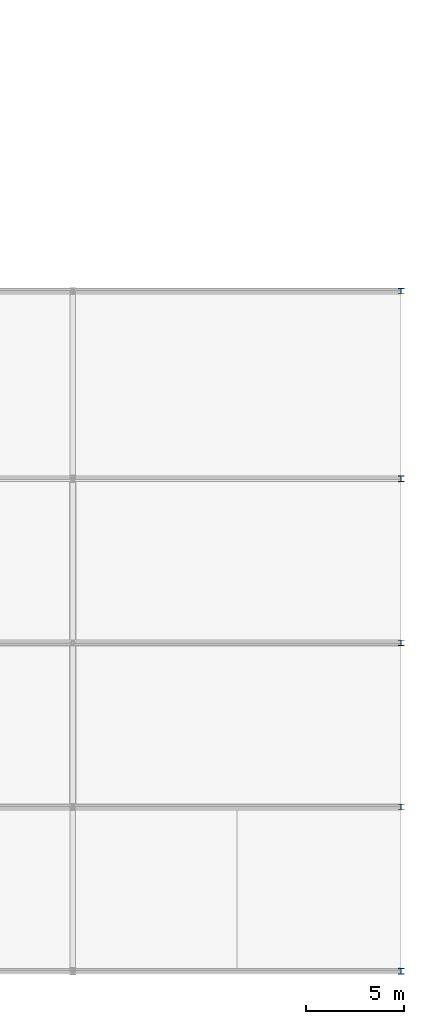
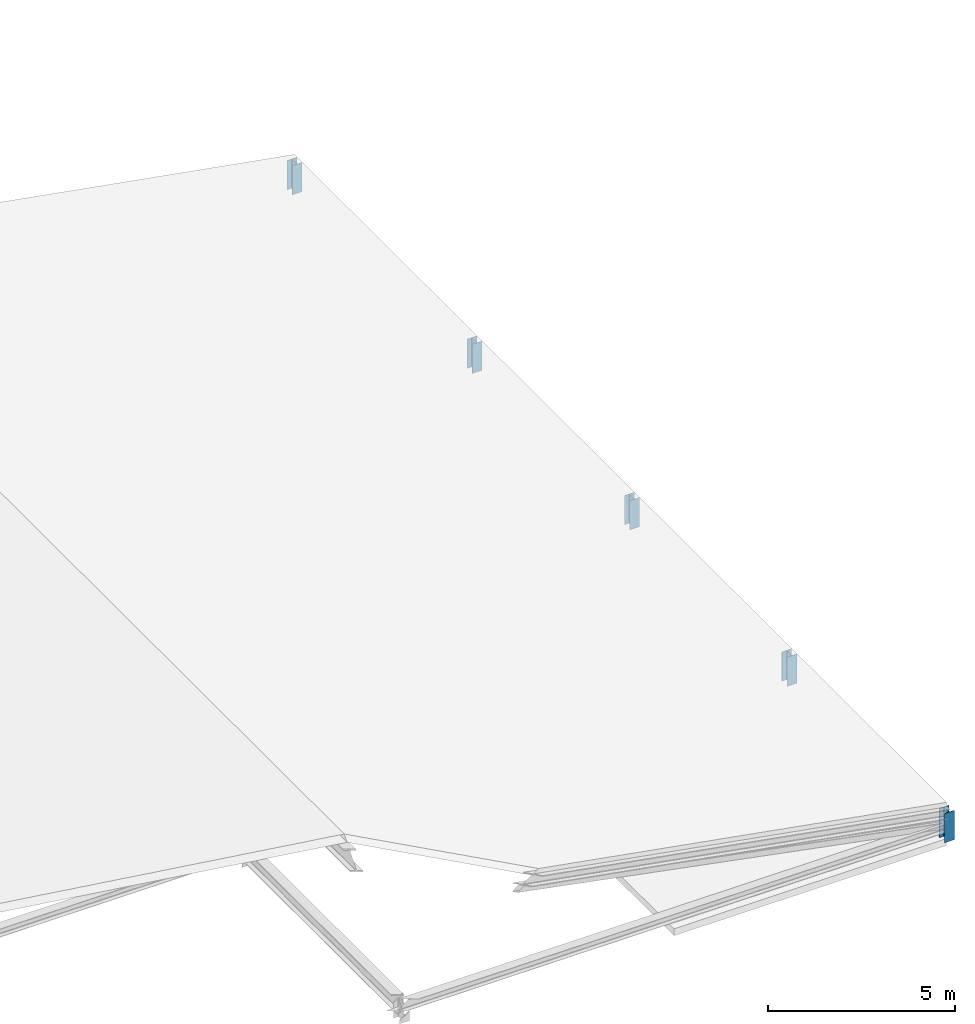
# One storey, part 21 of 90: 5 columns.
"""IFC4 building model written with IfcOpenShell, lengths in metres."""

from ifc_helpers import new_model, si_unit, derived_unit, direction, frame, origin, origin_2d, place, context, subcontext, project, spatial, i_section, extrude, material, material_profile, profile_set, type_object, element, save


model = new_model("IFC4")

# Units and contexts
model_context = context("Model", 3, precision=1e-05, world=origin(), true_north=direction((0.0, 1.0)))
body_context = subcontext(model_context, "Body", "Model", "MODEL_VIEW")
ifc_project = project(units=[si_unit("LENGTHUNIT", "METRE"), si_unit("AREAUNIT", "SQUARE_METRE"), si_unit("VOLUMEUNIT", "CUBIC_METRE"), si_unit("PLANEANGLEUNIT", "RADIAN"), si_unit("MASSUNIT", "GRAM", prefix="KILO"), derived_unit("THERMALTRANSMITTANCEUNIT", [(si_unit("POWERUNIT", "WATT"), 1), (si_unit("AREAUNIT", "SQUARE_METRE"), -1), (si_unit("THERMODYNAMICTEMPERATUREUNIT", "KELVIN"), -1)])], contexts=[model_context])

# Site, building, storey
site_placement = place(None, origin())
site = spatial("IfcSite", under=ifc_project, at=site_placement, CompositionType="ELEMENT")
building_placement = place(site_placement, origin())
building = spatial("IfcBuilding", under=site, at=building_placement, Name="Yasenodar Specialist Clinic", CompositionType="ELEMENT")
storey_placement = place(building_placement, frame((0.0, 0.0, 9.0)))
storey = spatial("IfcBuildingStorey", under=building, at=storey_placement, Name="L02", CompositionType="ELEMENT", Elevation=9.0)

# Columns
ifc_material = material(Name="Steel S355", Category="steel")
ifc_material_profile = material_profile(ifc_material, i_section(OverallWidth=0.300048828125, OverallDepth=0.2900390625, WebThickness=0.008544921875, FlangeThickness=0.013916015625, FilletRadius=0.027099609375, at=origin_2d()), Name="HEA 300")
ifc_profile_set = profile_set([ifc_material_profile], Name="Steel S355")
column_type = type_object("IfcColumnType", Name="COL-ST-HEA300", PredefinedType="COLUMN", material=ifc_profile_set)
for number, where, z_axis, x_axis, name in (
    (1, (138.60009765625, 0.0, 0.0), (0.0, 0.0, 1.0), (1.0, 0.0, 0.0), "L02 Conservatory Truss Eave Pier 06"),
    (2, (138.60009765625, 8.39990234375, 0.0), (0.0, 0.0, 1.0), (1.0, 0.0, 0.0), "L02 Conservatory Truss Eave Pier 07"),
    (3, (138.60009765625, 16.800048828125, 0.0), (0.0, 0.0, 1.0), (1.0, 0.0, 0.0), "L02 Conservatory Truss Eave Pier 08"),
    (4, (138.60009765625, 25.199951171875, 0.0), (0.0, 0.0, 1.0), (1.0, 0.0, 0.0), "L02 Conservatory Truss Eave Pier 09"),
    (5, (138.60009765625, 34.800048828125, 0.0), (0.0, 0.0, 1.0), (1.0, 0.0, 0.0), "L02 Conservatory Truss Eave Pier 10"),
):
    element("IfcColumn", number, at=place(storey_placement, frame(where, z_axis=z_axis, x_axis=x_axis)), inside=storey, type_object=column_type, Name=name, PredefinedType="COLUMN", context=body_context, shape_type="SweptSolid", body=[
        extrude(i_section(OverallWidth=0.300048828125, OverallDepth=0.2900390625, WebThickness=0.008544921875, FlangeThickness=0.013916015625, FilletRadius=0.027099609375, at=origin_2d()), origin(), (0.0, 0.0, 1.0), 0.949951171875),
    ])

save(model, "model.ifc")
